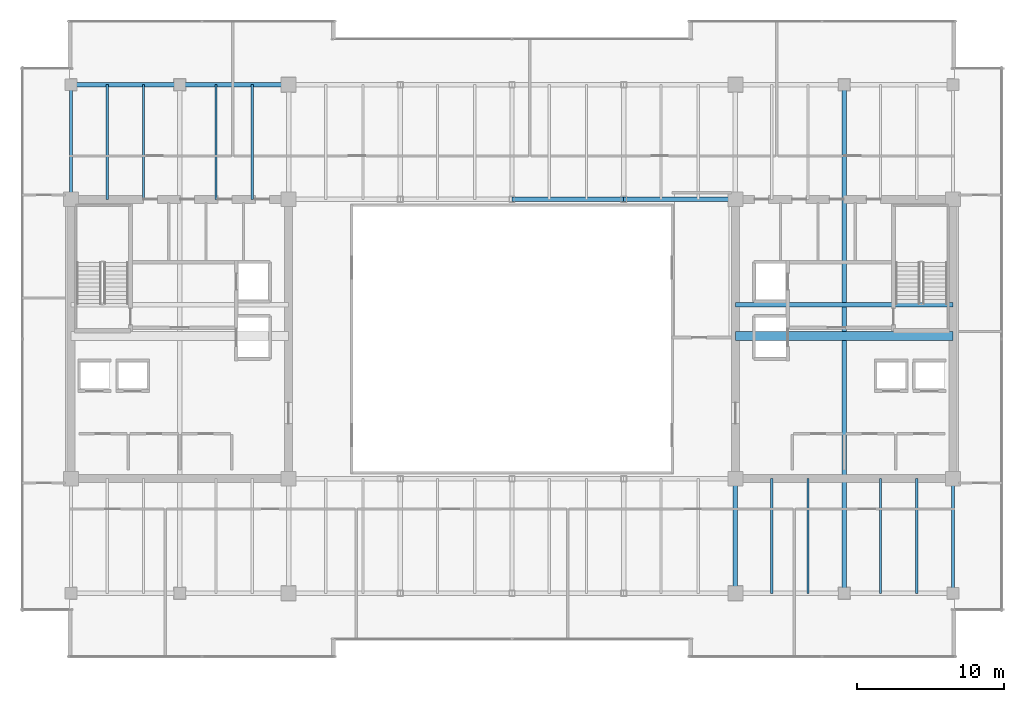
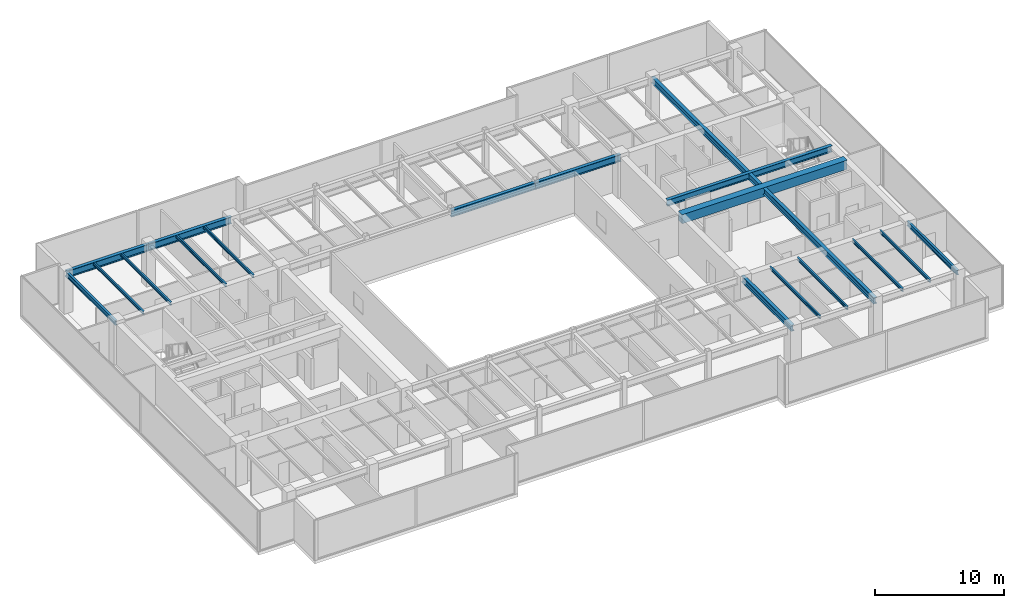
# One storey, part 14 of 35: 18 beams.
"""IFC4 building model written with IfcOpenShell, lengths in metres."""

from ifc_helpers import new_model, si_unit, direction, frame, origin, origin_2d, place, context, subcontext, project, spatial, rectangle, i_section, extrude, source, transform, mapped, material, material_profile, profile_set, type_object, type_shapes, element, save


model = new_model("IFC4")

# Units and contexts
model_context = context("Model", 3, precision=1e-05, world=origin(), true_north=direction((0.0, 1.0)))
body_context = subcontext(model_context, "Body", "Model", "MODEL_VIEW")
ifc_project = project(units=[si_unit("LENGTHUNIT", "METRE"), si_unit("AREAUNIT", "SQUARE_METRE"), si_unit("VOLUMEUNIT", "CUBIC_METRE"), si_unit("PLANEANGLEUNIT", "RADIAN"), si_unit("MASSUNIT", "GRAM", prefix="KILO")], contexts=[model_context])

# Site, building, storey
site_placement = place(None, origin())
site = spatial("IfcSite", under=ifc_project, at=site_placement, CompositionType="ELEMENT")
building_placement = place(site_placement, origin())
building = spatial("IfcBuilding", under=site, at=building_placement, Name="Haelvirn Gate Laboratories", CompositionType="ELEMENT")
storey_placement = place(building_placement, frame((0.0, 0.0, 226.0)))
storey = spatial("IfcBuildingStorey", under=building, at=storey_placement, Name="L54", CompositionType="ELEMENT", Elevation=226.0)

# Beams
ifc_material_1 = material(Name="Steel SM355", Category="steel")
ifc_material_profile_1 = material_profile(ifc_material_1, i_section(OverallWidth=0.300048828125, OverallDepth=0.587890625, WebThickness=0.011962890625, FlangeThickness=0.02001953125, at=origin_2d()), Name="H-588x300x12x20")
ifc_profile_set_1 = profile_set([ifc_material_profile_1], Name="Steel SM355")
beam_type_1 = type_object("IfcBeamType", Name="BM-G-588", PredefinedType="BEAM", material=ifc_profile_set_1)
shared_shape_1 = source(origin(), body_context, "Body", "SweptSolid", [
    extrude(i_section(OverallWidth=0.300048828125, OverallDepth=0.587890625, WebThickness=0.011962890625, FlangeThickness=0.02001953125, at=origin_2d()), origin(), (0.0, 0.0, 1.0), 14.7998046875),
])
beam_1_placement = place(storey_placement, frame((52.60009765625, 26.6201171875, 3.506103515625), z_axis=(1.0, 0.0, 0.0), x_axis=(0.0, 1.0, 0.0)))
element("IfcBeam", 1, at=beam_1_placement, inside=storey, type_object=beam_type_1, Name="L54 Stair ST2 Landing Header", PredefinedType="BEAM", context=body_context, shape_type="MappedRepresentation", body=[
    mapped(shared_shape_1, transform((0.0, 0.0, 0.0), scale=1.0)),
])
ifc_material_profile_2 = material_profile(ifc_material_1, i_section(OverallWidth=0.14990234375, OverallDepth=0.300048828125, WebThickness=0.006591796875, FlangeThickness=0.009033203125, at=origin_2d()), Name="H-300x150x6.5x9")
ifc_profile_set_2 = profile_set([ifc_material_profile_2], Name="Steel SM355")
beam_type_2 = type_object("IfcBeamType", Name="BM-J-300", PredefinedType="JOIST", material=ifc_profile_set_2)
shared_shape_2 = source(origin(), body_context, "Body", "SweptSolid", [
    extrude(i_section(OverallWidth=0.14990234375, OverallDepth=0.300048828125, WebThickness=0.006591796875, FlangeThickness=0.009033203125, at=origin_2d()), origin(), (0.0, 0.0, 1.0), 7.800048828125),
])
type_shapes(beam_type_2, [shared_shape_2])
for number, where, z_axis, x_axis, name in (
    (2, (9.8701171875, 33.800048828125, 3.64990234375), (0.0, 1.0, 0.0), (-1.0, 0.0, 0.0), "L54 Composite Lab Joist North X9.87"),
    (3, (12.330078125, 33.800048828125, 3.64990234375), (0.0, 1.0, 0.0), (-1.0, 0.0, 0.0), "L54 Composite Lab Joist North X12.33"),
    (4, (17.27001953125, 33.800048828125, 3.64990234375), (0.0, 1.0, 0.0), (-1.0, 0.0, 0.0), "L54 Composite Lab Joist North X17.27"),
    (5, (19.72998046875, 33.800048828125, 3.64990234375), (0.0, 1.0, 0.0), (-1.0, 0.0, 0.0), "L54 Composite Lab Joist North X19.73"),
    (6, (55.070068359375, 7.0, 3.64990234375), (0.0, 1.0, 0.0), (-1.0, 0.0, 0.0), "L54 Composite Lab Joist South X55.07"),
    (7, (57.530029296875, 7.0, 3.64990234375), (0.0, 1.0, 0.0), (-1.0, 0.0, 0.0), "L54 Composite Lab Joist South X57.53"),
    (8, (62.469970703125, 7.0, 3.64990234375), (0.0, 1.0, 0.0), (-1.0, 0.0, 0.0), "L54 Composite Lab Joist South X62.47"),
    (9, (64.929931640625, 7.0, 3.64990234375), (0.0, 1.0, 0.0), (-1.0, 0.0, 0.0), "L54 Composite Lab Joist South X64.93"),
):
    element("IfcBeam", number, at=place(storey_placement, frame(where, z_axis=z_axis, x_axis=x_axis)), inside=storey, type_object=beam_type_2, Name=name, PredefinedType="JOIST", context=body_context, shape_type="MappedRepresentation", body=[
        mapped(shared_shape_2, transform((0.0, 0.0, 0.0), scale=1.0)),
    ])
shared_shape_3 = source(origin(), body_context, "Body", "SweptSolid", [
    extrude(i_section(OverallWidth=0.300048828125, OverallDepth=0.587890625, WebThickness=0.011962890625, FlangeThickness=0.02001953125, at=origin_2d()), origin(), (0.0, 0.0, 1.0), 34.60009765625),
])
beam_2_placement = place(storey_placement, frame((60.0, 7.0, 3.506103515625), z_axis=(0.0, 1.0, 0.0), x_axis=(-1.0, 0.0, 0.0)))
element("IfcBeam", 10, at=beam_2_placement, inside=storey, type_object=beam_type_1, Name="L54 Frame Girder X60.0 (7.0-41.6)", PredefinedType="BEAM", context=body_context, shape_type="MappedRepresentation", body=[
    mapped(shared_shape_3, transform((0.0, 0.0, 0.0), scale=1.0)),
])
shared_shape_4 = source(origin(), body_context, "Body", "SweptSolid", [
    extrude(i_section(OverallWidth=0.300048828125, OverallDepth=0.587890625, WebThickness=0.011962890625, FlangeThickness=0.02001953125, at=origin_2d()), origin(), (0.0, 0.0, 1.0), 7.800048828125),
])
type_shapes(beam_type_1, [shared_shape_1, shared_shape_3, shared_shape_4])
beam_3_placement = place(storey_placement, frame((52.60009765625, 7.0, 3.506103515625), z_axis=(0.0, 1.0, 0.0), x_axis=(-1.0, 0.0, 0.0)))
element("IfcBeam", 11, at=beam_3_placement, inside=storey, type_object=beam_type_1, Name="L54 Frame Girder X52.6 (7.0-14.8)", PredefinedType="BEAM", context=body_context, shape_type="MappedRepresentation", body=[
    mapped(shared_shape_4, transform((0.0, 0.0, 0.0), scale=1.0)),
])
ifc_material_2 = material(Name="Concrete C50/60", Category="concrete")
ifc_material_profile_3 = material_profile(ifc_material_2, rectangle(XDim=0.60009765625, YDim=0.85009765625, at=origin_2d()), Name="RCB-600x850")
ifc_profile_set_3 = profile_set([ifc_material_profile_3], Name="Concrete C50/60")
beam_type_3 = type_object("IfcBeamType", Name="BM-RCB-850", PredefinedType="LINTEL", material=ifc_profile_set_3)
shared_shape_5 = source(origin(), body_context, "Body", "SweptSolid", [
    extrude(rectangle(XDim=0.60009765625, YDim=0.85009765625, at=origin_2d()), origin(), (0.0, 0.0, 1.0), 14.7998046875),
])
type_shapes(beam_type_3, [shared_shape_5])
beam_4_placement = place(storey_placement, frame((52.60009765625, 24.5, 3.375), z_axis=(1.0, 0.0, 0.0), x_axis=(0.0, 1.0, 0.0)))
element("IfcBeam", 12, at=beam_4_placement, inside=storey, type_object=beam_type_3, Name="L54 East Core Coupling Beam", PredefinedType="LINTEL", context=body_context, shape_type="MappedRepresentation", body=[
    mapped(shared_shape_5, transform((0.0, 0.0, 0.0), scale=1.0)),
])
ifc_material_profile_4 = material_profile(ifc_material_1, i_section(OverallWidth=0.300048828125, OverallDepth=0.64990234375, WebThickness=0.012939453125, FlangeThickness=0.02197265625, at=origin_2d()), Name="H-650x300x13x22")
ifc_profile_set_4 = profile_set([ifc_material_profile_4], Name="Steel SM355")
beam_type_4 = type_object("IfcBeamType", Name="BM-G-650", PredefinedType="BEAM", material=ifc_profile_set_4)
shared_shape_6 = source(origin(), body_context, "Body", "SweptSolid", [
    extrude(i_section(OverallWidth=0.300048828125, OverallDepth=0.64990234375, WebThickness=0.012939453125, FlangeThickness=0.02197265625, at=origin_2d()), origin(), (0.0, 0.0, 1.0), 7.400146484375),
])
beam_5_placement = place(storey_placement, frame((7.39990234375, 41.60009765625, 3.47509765625), z_axis=(1.0, 0.0, 0.0), x_axis=(0.0, 1.0, 0.0)))
element("IfcBeam", 13, at=beam_5_placement, inside=storey, type_object=beam_type_4, Name="L54 Primary Girder Y41.6 (7.4-14.8)", PredefinedType="BEAM", context=body_context, shape_type="MappedRepresentation", body=[
    mapped(shared_shape_6, transform((0.0, 0.0, 0.0), scale=1.0)),
])
shared_shape_7 = source(origin(), body_context, "Body", "SweptSolid", [
    extrude(i_section(OverallWidth=0.300048828125, OverallDepth=0.64990234375, WebThickness=0.012939453125, FlangeThickness=0.02197265625, at=origin_2d()), origin(), (0.0, 0.0, 1.0), 7.39990234375),
])
beam_6_placement = place(storey_placement, frame((14.800048828125, 41.60009765625, 3.47509765625), z_axis=(1.0, 0.0, 0.0), x_axis=(0.0, 1.0, 0.0)))
element("IfcBeam", 14, at=beam_6_placement, inside=storey, type_object=beam_type_4, Name="L54 Primary Girder Y41.6 (14.8-22.2)", PredefinedType="BEAM", context=body_context, shape_type="MappedRepresentation", body=[
    mapped(shared_shape_7, transform((0.0, 0.0, 0.0), scale=1.0)),
])
shared_shape_8 = source(origin(), body_context, "Body", "SweptSolid", [
    extrude(i_section(OverallWidth=0.300048828125, OverallDepth=0.64990234375, WebThickness=0.012939453125, FlangeThickness=0.02197265625, at=origin_2d()), origin(), (0.0, 0.0, 1.0), 7.60009765625),
])
type_shapes(beam_type_4, [shared_shape_6, shared_shape_7, shared_shape_8])
for number, where, z_axis, x_axis, name in (
    (15, (37.39990234375, 33.800048828125, 3.47509765625), (1.0, 0.0, 0.0), (0.0, 1.0, 0.0), "L54 Primary Girder Y33.8 (37.4-45.0)"),
    (16, (45.0, 33.800048828125, 3.47509765625), (1.0, 0.0, 0.0), (0.0, 1.0, 0.0), "L54 Primary Girder Y33.8 (45.0-52.6)"),
):
    element("IfcBeam", number, at=place(storey_placement, frame(where, z_axis=z_axis, x_axis=x_axis)), inside=storey, type_object=beam_type_4, Name=name, PredefinedType="BEAM", context=body_context, shape_type="MappedRepresentation", body=[
        mapped(shared_shape_8, transform((0.0, 0.0, 0.0), scale=1.0)),
    ])
ifc_material_profile_5 = material_profile(ifc_material_1, i_section(OverallWidth=0.199951171875, OverallDepth=0.449951171875, WebThickness=0.009033203125, FlangeThickness=0.013916015625, at=origin_2d()), Name="H-450x200x9x14")
ifc_profile_set_5 = profile_set([ifc_material_profile_5], Name="Steel SM355")
beam_type_5 = type_object("IfcBeamType", Name="BM-SP-450", PredefinedType="SPANDREL", material=ifc_profile_set_5)
shared_shape_9 = source(origin(), body_context, "Body", "SweptSolid", [
    extrude(i_section(OverallWidth=0.199951171875, OverallDepth=0.449951171875, WebThickness=0.009033203125, FlangeThickness=0.013916015625, at=origin_2d()), origin(), (0.0, 0.0, 1.0), 7.800048828125),
])
type_shapes(beam_type_5, [shared_shape_9])
for number, where, z_axis, x_axis, name in (
    (17, (7.39990234375, 33.800048828125, 3.574951171875), (0.0, 1.0, 0.0), (-1.0, 0.0, 0.0), "L54 Perimeter Spandrel X7.4 (33.8-41.6)"),
    (18, (67.39990234375, 7.0, 3.574951171875), (0.0, 1.0, 0.0), (-1.0, 0.0, 0.0), "L54 Perimeter Spandrel X67.4 (7.0-14.8)"),
):
    element("IfcBeam", number, at=place(storey_placement, frame(where, z_axis=z_axis, x_axis=x_axis)), inside=storey, type_object=beam_type_5, Name=name, PredefinedType="SPANDREL", context=body_context, shape_type="MappedRepresentation", body=[
        mapped(shared_shape_9, transform((0.0, 0.0, 0.0), scale=1.0)),
    ])

save(model, "model.ifc")
